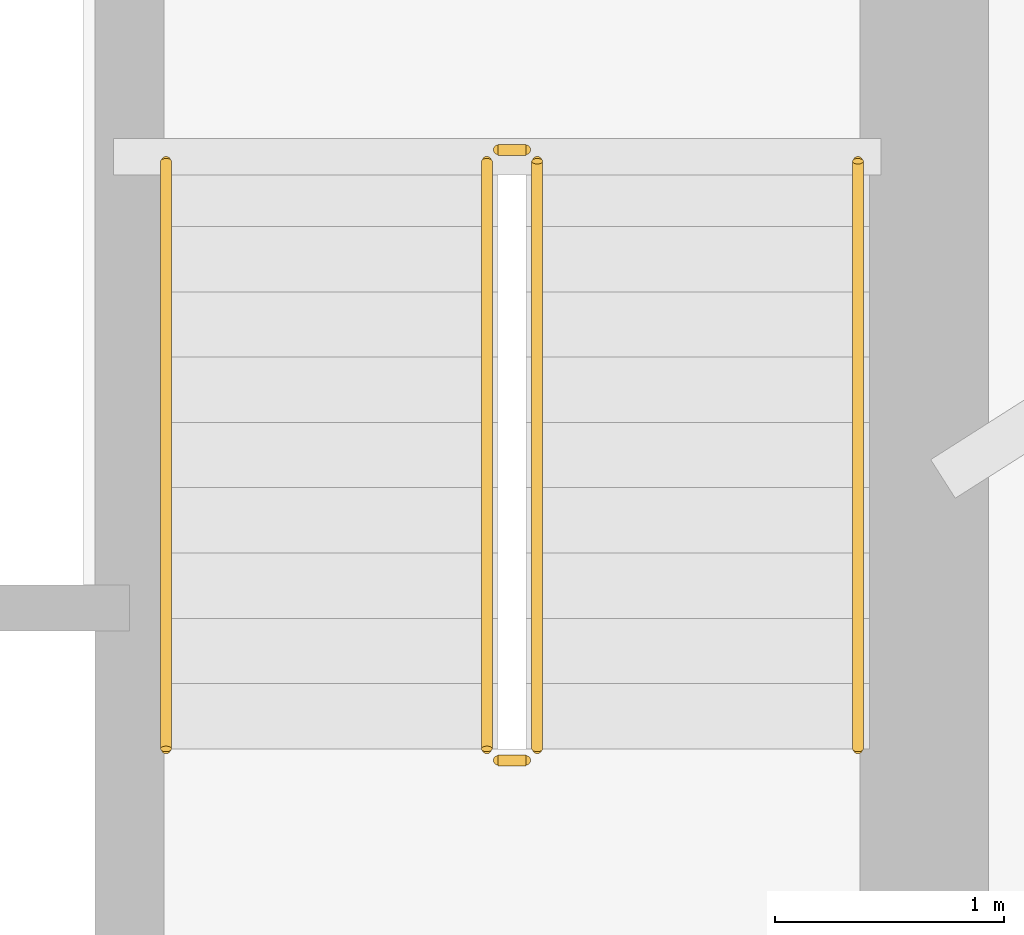
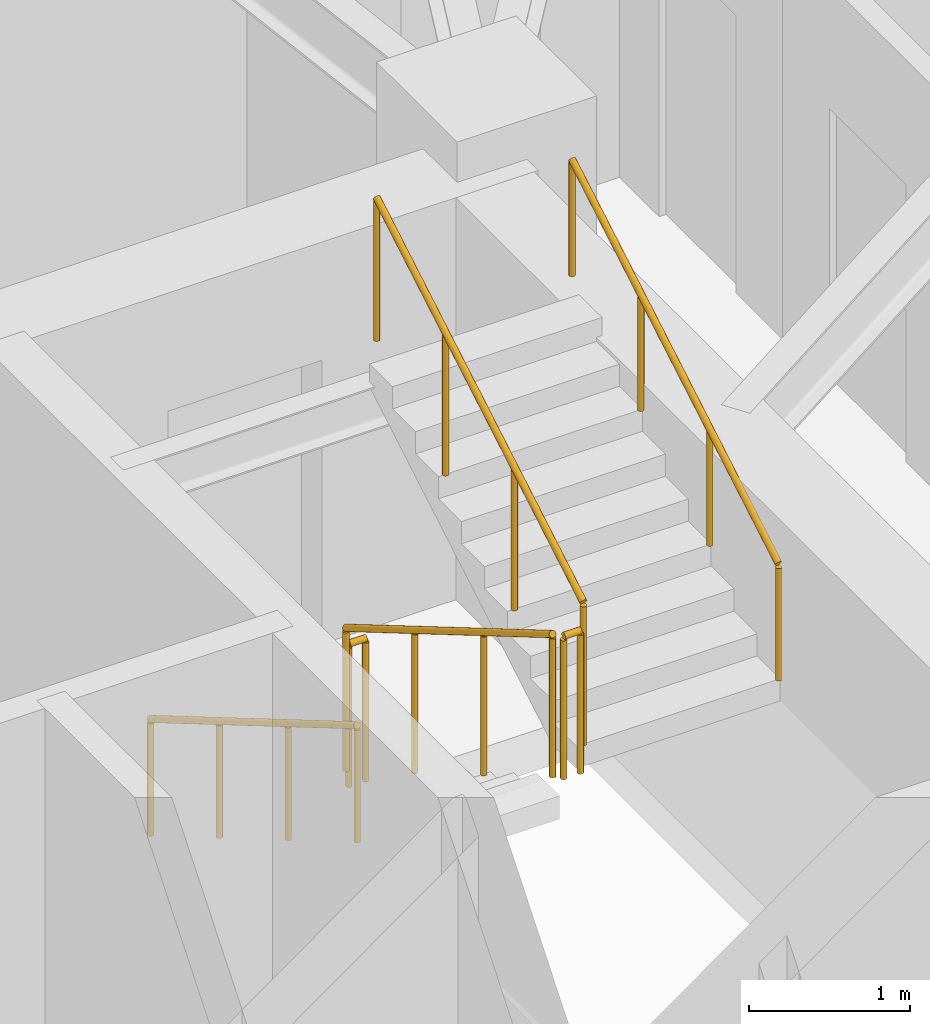
# One storey, part 18 of 19: 6 railings.
"""IFC4 building model written with IfcOpenShell, lengths in metres."""

from ifc_helpers import new_model, si_unit, direction, frame, origin, origin_2d, place, context, subcontext, project, spatial, circle, extrude, material, type_object, element, save


model = new_model("IFC4")

# Units and contexts
model_context = context("Model", 3, precision=1e-05, world=origin(), true_north=direction((0.0, 1.0)))
body_context = subcontext(model_context, "Body", "Model", "MODEL_VIEW")
ifc_project = project(units=[si_unit("LENGTHUNIT", "METRE"), si_unit("AREAUNIT", "SQUARE_METRE"), si_unit("VOLUMEUNIT", "CUBIC_METRE"), si_unit("PLANEANGLEUNIT", "RADIAN"), si_unit("MASSUNIT", "GRAM", prefix="KILO")], contexts=[model_context])

# Site, building, storey
site_placement = place(None, origin())
site = spatial("IfcSite", under=ifc_project, at=site_placement, CompositionType="ELEMENT")
building_placement = place(site_placement, origin())
building = spatial("IfcBuilding", under=site, at=building_placement, Name="Qobustan Lattice House", CompositionType="ELEMENT")
storey_placement = place(building_placement, frame((0.0, 0.0, 82.35009765625)))
storey = spatial("IfcBuildingStorey", under=building, at=storey_placement, Name="L22", CompositionType="ELEMENT", Elevation=82.35009765625)

# Railings
ifc_material_1 = material(Name="Brushed stainless steel handrail", Category="steel")
railing_type_1 = type_object("IfcRailingType", Name="RAL-HR-920", PredefinedType="HANDRAIL", material=ifc_material_1)
railing_1_placement = place(storey_placement, frame((15.179931640625, 3.5, 0.16748046875)))
element("IfcRailing", 1, at=railing_1_placement, inside=storey, type_object=railing_type_1, Name="L22 ST-E1 stair handrail 1", PredefinedType="HANDRAIL", context=body_context, shape_type="SweptSolid", body=[
    extrude(circle(Radius=0.02392578125, at=origin_2d()), frame((0.0, 0.0, 0.8759765625), z_axis=(0.0, -0.862149314443, 0.506654280161), x_axis=(1.0, 0.0, 0.0)), (0.0, 0.0, 1.0), 2.97509765625),
    extrude(circle(Radius=0.02099609375, at=origin_2d()), origin(), (0.0, 0.0, 1.0), 0.851806640625),
    extrude(circle(Radius=0.02099609375, at=origin_2d()), frame((0.0, -0.85498046875, 0.50244140625)), (0.0, 0.0, 1.0), 0.851806640625),
    extrude(circle(Radius=0.02099609375, at=origin_2d()), frame((0.0, -1.7099609375, 1.0048828125)), (0.0, 0.0, 1.0), 0.851806640625),
    extrude(circle(Radius=0.02099609375, at=origin_2d()), frame((0.0, -2.56494140625, 1.50732421875)), (0.0, 0.0, 1.0), 0.851806640625),
])
railing_2_placement = place(storey_placement, frame((18.199951171875, 0.93505859375, 1.84228515625)))
element("IfcRailing", 2, at=railing_2_placement, inside=storey, type_object=railing_type_1, Name="L22 ST-E1 stair handrail 2", PredefinedType="HANDRAIL", context=body_context, shape_type="SweptSolid", body=[
    extrude(circle(Radius=0.02392578125, at=origin_2d()), frame((0.0, 0.0, 0.8759765625), z_axis=(0.0, 0.862113467892, 0.50671527358), x_axis=(-1.0, 0.0, 0.0)), (0.0, 0.0, 1.0), 2.97509765625),
    extrude(circle(Radius=0.02099609375, at=origin_2d()), origin(), (0.0, 0.0, 1.0), 0.851806640625),
    extrude(circle(Radius=0.02099609375, at=origin_2d()), frame((0.0, 0.85498046875, 0.50244140625)), (0.0, 0.0, 1.0), 0.851806640625),
    extrude(circle(Radius=0.02099609375, at=origin_2d()), frame((0.0, 1.7099609375, 1.005126953125)), (0.0, 0.0, 1.0), 0.851806640625),
    extrude(circle(Radius=0.02099609375, at=origin_2d()), frame((0.0, 2.56494140625, 1.507568359375)), (0.0, 0.0, 1.0), 0.851806640625),
])
ifc_material_2 = material(Name="Painted galvanized steel guardrail", Category="steel")
railing_type_2 = type_object("IfcRailingType", Name="RAL-STG-1150", PredefinedType="GUARDRAIL", material=ifc_material_2)
railing_3_placement = place(storey_placement, frame((16.580078125, 3.5, 0.16748046875)))
element("IfcRailing", 3, at=railing_3_placement, inside=storey, type_object=railing_type_2, Name="L22 ST-E1 stair guard 1", PredefinedType="GUARDRAIL", context=body_context, shape_type="SweptSolid", body=[
    extrude(circle(Radius=0.02392578125, at=origin_2d()), frame((0.0, 0.0, 1.076171875), z_axis=(0.0, -0.862149314443, 0.506654280161), x_axis=(1.0, 0.0, 0.0)), (0.0, 0.0, 1.0), 2.97509765625),
    extrude(circle(Radius=0.02099609375, at=origin_2d()), origin(), (0.0, 0.0, 1.0), 1.052001953125),
    extrude(circle(Radius=0.02099609375, at=origin_2d()), frame((0.0, -0.85498046875, 0.50244140625)), (0.0, 0.0, 1.0), 1.052001953125),
    extrude(circle(Radius=0.02099609375, at=origin_2d()), frame((0.0, -1.7099609375, 1.0048828125)), (0.0, 0.0, 1.0), 1.052001953125),
    extrude(circle(Radius=0.02099609375, at=origin_2d()), frame((0.0, -2.56494140625, 1.50732421875)), (0.0, 0.0, 1.0), 1.052001953125),
])
railing_4_placement = place(storey_placement, frame((16.6298828125, 0.885009765625, 1.6748046875)))
element("IfcRailing", 4, at=railing_4_placement, inside=storey, type_object=railing_type_2, Name="L22 ST-E1 stair guard 2", PredefinedType="GUARDRAIL", context=body_context, shape_type="SweptSolid", body=[
    extrude(circle(Radius=0.02392578125, at=origin_2d()), frame((0.0, 0.0, 1.076171875), z_axis=(1.0, 0.0, 0.0), x_axis=(0.0, 1.0, 0.0)), (0.0, 0.0, 1.0), 0.1201171875),
    extrude(circle(Radius=0.02099609375, at=origin_2d()), origin(), (0.0, 0.0, 1.0), 1.052001953125),
    extrude(circle(Radius=0.02099609375, at=origin_2d()), frame((0.1201171875, 0.0, 0.0)), (0.0, 0.0, 1.0), 1.052001953125),
])
railing_5_placement = place(storey_placement, frame((16.800048828125, 0.93505859375, 1.84228515625)))
element("IfcRailing", 5, at=railing_5_placement, inside=storey, type_object=railing_type_2, Name="L22 ST-E1 stair guard 3", PredefinedType="GUARDRAIL", context=body_context, shape_type="SweptSolid", body=[
    extrude(circle(Radius=0.02392578125, at=origin_2d()), frame((0.0, 0.0, 1.076171875), z_axis=(0.0, 0.862113467892, 0.50671527358), x_axis=(-1.0, 0.0, 0.0)), (0.0, 0.0, 1.0), 2.97509765625),
    extrude(circle(Radius=0.02099609375, at=origin_2d()), origin(), (0.0, 0.0, 1.0), 1.052001953125),
    extrude(circle(Radius=0.02099609375, at=origin_2d()), frame((0.0, 0.85498046875, 0.50244140625)), (0.0, 0.0, 1.0), 1.052001953125),
    extrude(circle(Radius=0.02099609375, at=origin_2d()), frame((0.0, 1.7099609375, 1.005126953125)), (0.0, 0.0, 1.0), 1.052001953125),
    extrude(circle(Radius=0.02099609375, at=origin_2d()), frame((0.0, 2.56494140625, 1.507568359375)), (0.0, 0.0, 1.0), 1.052001953125),
])
railing_6_placement = place(storey_placement, frame((16.6298828125, 3.550048828125, 0.0)))
element("IfcRailing", 6, at=railing_6_placement, inside=storey, type_object=railing_type_2, Name="L22 ST-E1 stair guard 4", PredefinedType="GUARDRAIL", context=body_context, shape_type="SweptSolid", body=[
    extrude(circle(Radius=0.02392578125, at=origin_2d()), frame((0.0, 0.0, 1.076171875), z_axis=(1.0, 0.0, 0.0), x_axis=(0.0, 1.0, 0.0)), (0.0, 0.0, 1.0), 0.1201171875),
    extrude(circle(Radius=0.02099609375, at=origin_2d()), origin(), (0.0, 0.0, 1.0), 1.052001953125),
    extrude(circle(Radius=0.02099609375, at=origin_2d()), frame((0.1201171875, 0.0, 0.0)), (0.0, 0.0, 1.0), 1.052001953125),
])

save(model, "model.ifc")
